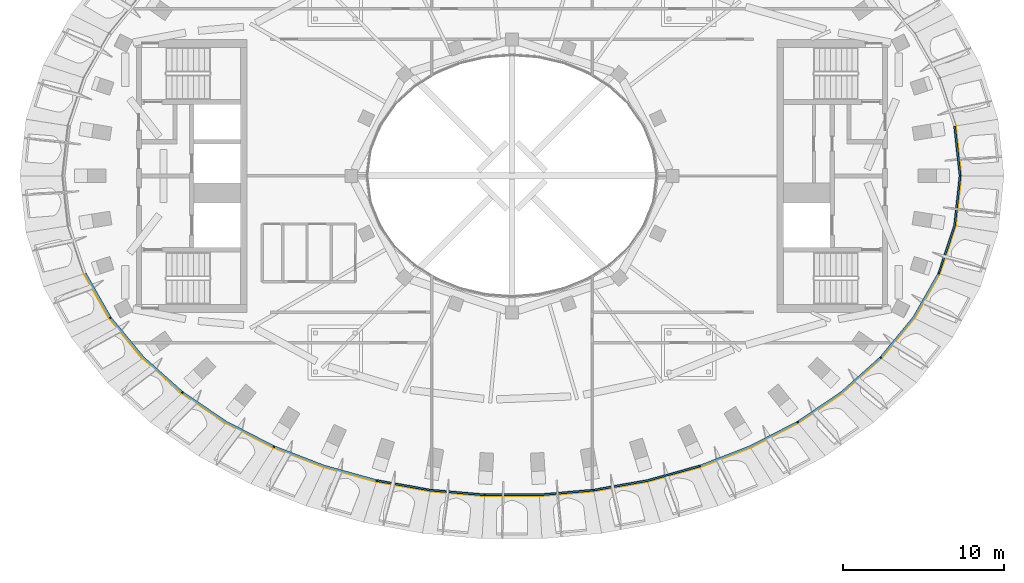
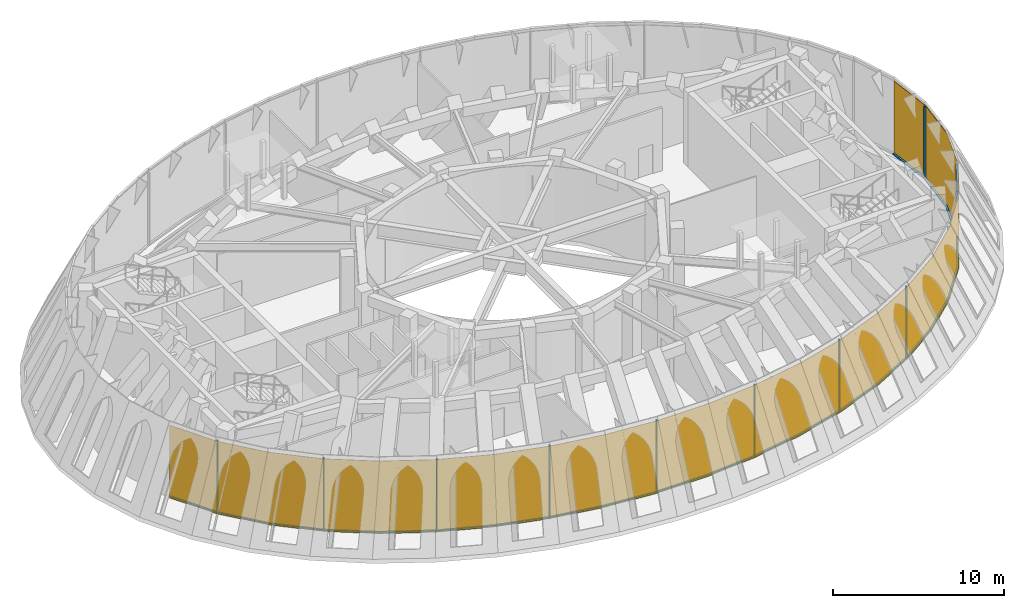
# One storey, part 6 of 13: 23 members, 1 curtain wall.
"""IFC4 building model written with IfcOpenShell, lengths in metres."""

from ifc_helpers import new_model, si_unit, direction, frame, origin, origin_2d, place, context, subcontext, project, spatial, polyline, rectangle, outline, extrude, material, layer, layer_set, material_profile, profile_set, type_object, element, aggregate, save


model = new_model("IFC4")

# Units and contexts
model_context = context("Model", 3, precision=1e-05, world=origin(), true_north=direction((0.0, 1.0)))
body_context = subcontext(model_context, "Body", "Model", "MODEL_VIEW")
ifc_project = project(units=[si_unit("LENGTHUNIT", "METRE"), si_unit("AREAUNIT", "SQUARE_METRE"), si_unit("VOLUMEUNIT", "CUBIC_METRE"), si_unit("PLANEANGLEUNIT", "RADIAN"), si_unit("MASSUNIT", "GRAM", prefix="KILO")], contexts=[model_context])

# Member
ifc_material_1 = material(Name="Aluminium 6063-T6 black anodised", Category="aluminium")
ifc_material_profile = material_profile(ifc_material_1, rectangle(XDim=0.1201171875, YDim=0.06005859375, at=origin_2d()), Name="120x60")
ifc_profile_set = profile_set([ifc_material_profile], Name="Aluminium 6063-T6 black anodised")
member_type_1 = type_object("IfcMemberType", Name="ENV-MULLION-H-120", PredefinedType="MULLION", material=ifc_profile_set)
site_placement = place(None, origin())
building_placement = place(site_placement, origin())
storey_placement = place(building_placement, frame((0.0, 0.0, 351.0)))
member_1_placement = place(storey_placement, frame((-25.01171875, -8.829833984375, 0.0), z_axis=(0.0, 0.0, 1.0), x_axis=(0.82356336447, 0.567224280777, 0.0)))
member_1 = element("IfcMember", 1, at=member_1_placement, type_object=member_type_1, Name="Mullion H radial 27", PredefinedType="MULLION", context=body_context, shape_type="SweptSolid", body=[
    extrude(rectangle(XDim=0.1201171875, YDim=0.06005859375, at=origin_2d()), origin(), (0.0, 0.0, 1.0), 5.199951171875),
])

member_2_placement = place(storey_placement, frame((-20.52587890625, -13.48681640625, 0.0), z_axis=(0.0, 0.0, 1.0), x_axis=(0.614411183298, 0.788985993436, 0.0)))
member_2 = element("IfcMember", 2, at=member_2_placement, type_object=member_type_1, Name="Mullion H radial 29", PredefinedType="MULLION", context=body_context, shape_type="SweptSolid", body=[
    extrude(rectangle(XDim=0.1201171875, YDim=0.06005859375, at=origin_2d()), origin(), (0.0, 0.0, 1.0), 5.199951171875),
])

member_3_placement = place(storey_placement, frame((-14.82421875, -16.8662109375, 0.0), z_axis=(0.0, 0.0, 1.0), x_axis=(0.409793699949, 0.912178230108, 0.0)))
member_3 = element("IfcMember", 3, at=member_3_placement, type_object=member_type_1, Name="Mullion H radial 31", PredefinedType="MULLION", context=body_context, shape_type="SweptSolid", body=[
    extrude(rectangle(XDim=0.1201171875, YDim=0.06005859375, at=origin_2d()), origin(), (0.0, 0.0, 1.0), 5.199951171875),
])

member_4_placement = place(storey_placement, frame((-8.430419921875, -18.9775390625, 0.0), z_axis=(0.0, 0.0, 1.0), x_axis=(0.221305581056, 0.975204511779, 0.0)))
member_4 = element("IfcMember", 4, at=member_4_placement, type_object=member_type_1, Name="Mullion H radial 33", PredefinedType="MULLION", context=body_context, shape_type="SweptSolid", body=[
    extrude(rectangle(XDim=0.1201171875, YDim=0.06005859375, at=origin_2d()), origin(), (0.0, 0.0, 1.0), 5.199951171875),
])

member_5_placement = place(storey_placement, frame((-1.701904296875, -19.870849609375, 0.0), z_axis=(0.0, 0.0, 1.0), x_axis=(0.043698788781, 0.99904475168, 0.0)))
member_5 = element("IfcMember", 5, at=member_5_placement, type_object=member_type_1, Name="Mullion H radial 35", PredefinedType="MULLION", context=body_context, shape_type="SweptSolid", body=[
    extrude(rectangle(XDim=0.1201171875, YDim=0.06005859375, at=origin_2d()), origin(), (0.0, 0.0, 1.0), 5.199951171875),
])

member_6_placement = place(storey_placement, frame((5.08984375, -19.573974609375, 0.0), z_axis=(0.0, 0.0, 1.0), x_axis=(-0.131660617796, 0.991294851052, 0.0)))
member_6 = element("IfcMember", 6, at=member_6_placement, type_object=member_type_1, Name="Mullion H radial 37", PredefinedType="MULLION", context=body_context, shape_type="SweptSolid", body=[
    extrude(rectangle(XDim=0.1201171875, YDim=0.06005859375, at=origin_2d()), origin(), (0.0, 0.0, 1.0), 5.199951171875),
])

member_7_placement = place(storey_placement, frame((11.688720703125, -18.0771484375, 0.0), z_axis=(0.0, 0.0, 1.0), x_axis=(-0.313706547838, 0.949519984963, 0.0)))
member_7 = element("IfcMember", 7, at=member_7_placement, type_object=member_type_1, Name="Mullion H radial 39", PredefinedType="MULLION", context=body_context, shape_type="SweptSolid", body=[
    extrude(rectangle(XDim=0.1201171875, YDim=0.06005859375, at=origin_2d()), origin(), (0.0, 0.0, 1.0), 5.199951171875),
])

member_8_placement = place(storey_placement, frame((17.78955078125, -15.337890625, 0.0), z_axis=(0.0, 0.0, 1.0), x_axis=(-0.510126063051, 0.860099645271, 0.0)))
member_8 = element("IfcMember", 8, at=member_8_placement, type_object=member_type_1, Name="Mullion H radial 41", PredefinedType="MULLION", context=body_context, shape_type="SweptSolid", body=[
    extrude(rectangle(XDim=0.1201171875, YDim=0.06005859375, at=origin_2d()), origin(), (0.0, 0.0, 1.0), 5.199951171875),
])

member_9_placement = place(storey_placement, frame((22.9619140625, -11.3134765625, 0.0), z_axis=(0.0, 0.0, 1.0), x_axis=(-0.720610782571, 0.693339815706, 0.0)))
member_9 = element("IfcMember", 9, at=member_9_placement, type_object=member_type_1, Name="Mullion H radial 43", PredefinedType="MULLION", context=body_context, shape_type="SweptSolid", body=[
    extrude(rectangle(XDim=0.1201171875, YDim=0.06005859375, at=origin_2d()), origin(), (0.0, 0.0, 1.0), 5.199951171875),
])

member_10_placement = place(storey_placement, frame((26.5791015625, -6.06884765625, 0.0), z_axis=(0.0, 0.0, 1.0), x_axis=(-0.913608946914, 0.406594013874, 0.0)))
member_10 = element("IfcMember", 10, at=member_10_placement, type_object=member_type_1, Name="Mullion H radial 45", PredefinedType="MULLION", context=body_context, shape_type="SweptSolid", body=[
    extrude(rectangle(XDim=0.1201171875, YDim=0.06005859375, at=origin_2d()), origin(), (0.0, 0.0, 1.0), 5.199951171875),
])

member_11_placement = place(storey_placement, frame((27.907958984375, 0.0, 0.0), z_axis=(0.0, 0.0, 1.0), x_axis=(-1.0, 0.0, 0.0)))
member_11 = element("IfcMember", 11, at=member_11_placement, type_object=member_type_1, Name="Mullion H radial 01", PredefinedType="MULLION", context=body_context, shape_type="SweptSolid", body=[
    extrude(rectangle(XDim=0.1201171875, YDim=0.06005859375, at=origin_2d()), origin(), (0.0, 0.0, 1.0), 5.199951171875),
])

ifc_material_2 = material(Name="Aluminium 6063-T6 black anodised", Category="aluminium")
member_type_2 = type_object("IfcMemberType", Name="ENV-TRANSOM-H", PredefinedType="USERDEFINED", material=ifc_material_2)
member_12_placement = place(storey_placement, origin())
member_12 = element("IfcMember", 12, at=member_12_placement, type_object=member_type_2, Name="Transom H radial 26-27", ObjectType="TRANSOM", PredefinedType="USERDEFINED", context=body_context, shape_type="SweptSolid", body=[
    extrude(outline(polyline([(-26.6337890625, -6.09326171875), (-25.07470703125, -8.83935546875), (-24.9755859375, -8.77099609375), (-26.5234375, -6.044189453125), (-26.6337890625, -6.09326171875)])), origin(), (0.0, 0.0, 1.0), 0.10009765625),
])

member_13_placement = place(storey_placement, origin())
member_13 = element("IfcMember", 13, at=member_13_placement, type_object=member_type_2, Name="Transom H radial 27-29", ObjectType="TRANSOM", PredefinedType="USERDEFINED", context=body_context, shape_type="SweptSolid", body=[
    extrude(outline(polyline([(-25.043212890625, -8.88525390625), (-23.0048828125, -11.35498046875), (-20.58349609375, -13.515380859375), (-20.509765625, -13.420654296875), (-22.918212890625, -11.271484375), (-24.94384765625, -8.81689453125), (-25.043212890625, -8.88525390625)])), origin(), (0.0, 0.0, 1.0), 0.10009765625),
])

member_14_placement = place(storey_placement, origin())
member_14 = element("IfcMember", 14, at=member_14_placement, type_object=member_type_2, Name="Transom H radial 29-31", ObjectType="TRANSOM", PredefinedType="USERDEFINED", context=body_context, shape_type="SweptSolid", body=[
    extrude(outline(polyline([(-20.53955078125, -13.5498046875), (-17.820068359375, -15.389404296875), (-14.873779296875, -16.908203125), (-14.824462890625, -16.798583984375), (-17.7587890625, -15.2861328125), (-20.465576171875, -13.455078125), (-20.53955078125, -13.5498046875)])), origin(), (0.0, 0.0, 1.0), 0.10009765625),
])

member_15_placement = place(storey_placement, origin())
member_15 = element("IfcMember", 15, at=member_15_placement, type_object=member_type_2, Name="Transom H radial 31-33", ObjectType="TRANSOM", PredefinedType="USERDEFINED", context=body_context, shape_type="SweptSolid", body=[
    extrude(outline(polyline([(-14.82275390625, -16.930908203125), (-11.70751953125, -18.134033203125), (-8.470703125, -19.028564453125), (-8.444091796875, -18.91162109375), (-11.669677734375, -18.02001953125), (-14.7734375, -16.8212890625), (-14.82275390625, -16.930908203125)])), origin(), (0.0, 0.0, 1.0), 0.10009765625),
])

member_16_placement = place(storey_placement, origin())
member_16 = element("IfcMember", 16, at=member_16_placement, type_object=member_type_2, Name="Transom H radial 33-35", ObjectType="TRANSOM", PredefinedType="USERDEFINED", context=body_context, shape_type="SweptSolid", body=[
    extrude(outline(polyline([(-8.416015625, -19.041015625), (-5.09765625, -19.63330078125), (-1.732421875, -19.928466796875), (-1.72705078125, -19.808349609375), (-5.081787109375, -19.514404296875), (-8.3896484375, -18.923828125), (-8.416015625, -19.041015625)])), origin(), (0.0, 0.0, 1.0), 0.10009765625),
])

member_17_placement = place(storey_placement, origin())
member_17 = element("IfcMember", 17, at=member_17_placement, type_object=member_type_2, Name="Transom H radial 35-37", ObjectType="TRANSOM", PredefinedType="USERDEFINED", context=body_context, shape_type="SweptSolid", body=[
    extrude(outline(polyline([(-1.676513671875, -19.930908203125), (1.704345703125, -19.930908203125), (5.06982421875, -19.635986328125), (5.053955078125, -19.516845703125), (1.69921875, -19.810791015625), (-1.671142578125, -19.810791015625), (-1.676513671875, -19.930908203125)])), origin(), (0.0, 0.0, 1.0), 0.10009765625),
])

member_18_placement = place(storey_placement, origin())
member_18 = element("IfcMember", 18, at=member_18_placement, type_object=member_type_2, Name="Transom H radial 37-39", ObjectType="TRANSOM", PredefinedType="USERDEFINED", context=body_context, shape_type="SweptSolid", body=[
    extrude(outline(polyline([(5.125244140625, -19.62841796875), (8.443603515625, -19.0361328125), (11.680419921875, -18.1416015625), (11.642578125, -18.027587890625), (8.4169921875, -18.9189453125), (5.109619140625, -19.509521484375), (5.125244140625, -19.62841796875)])), origin(), (0.0, 0.0, 1.0), 0.10009765625),
])

member_19_placement = place(storey_placement, origin())
member_19 = element("IfcMember", 19, at=member_19_placement, type_object=member_type_2, Name="Transom H radial 39-41", ObjectType="TRANSOM", PredefinedType="USERDEFINED", context=body_context, shape_type="SweptSolid", body=[
    extrude(outline(polyline([(11.7333984375, -18.1240234375), (14.848876953125, -16.9208984375), (17.795166015625, -15.40234375), (17.73388671875, -15.298828125), (14.799560546875, -16.811279296875), (11.69580078125, -18.010009765625), (11.7333984375, -18.1240234375)])), origin(), (0.0, 0.0, 1.0), 0.10009765625),
])

member_20_placement = place(storey_placement, origin())
member_20 = element("IfcMember", 20, at=member_20_placement, type_object=member_type_2, Name="Transom H radial 41-43", ObjectType="TRANSOM", PredefinedType="USERDEFINED", context=body_context, shape_type="SweptSolid", body=[
    extrude(outline(polyline([(17.84326171875, -15.373779296875), (20.562744140625, -13.5341796875), (22.984130859375, -11.37353515625), (22.8974609375, -11.290283203125), (20.48876953125, -13.439208984375), (17.781982421875, -15.2705078125), (17.84326171875, -15.373779296875)])), origin(), (0.0, 0.0, 1.0), 0.10009765625),
])

member_21_placement = place(storey_placement, origin())
member_21 = element("IfcMember", 21, at=member_21_placement, type_object=member_type_2, Name="Transom H radial 43-45", ObjectType="TRANSOM", PredefinedType="USERDEFINED", context=body_context, shape_type="SweptSolid", body=[
    extrude(outline(polyline([(23.022705078125, -11.33349609375), (25.060791015625, -8.86376953125), (26.619873046875, -6.11767578125), (26.509765625, -6.068603515625), (24.961669921875, -8.79541015625), (22.93603515625, -11.25), (23.022705078125, -11.33349609375)])), origin(), (0.0, 0.0, 1.0), 0.10009765625),
])

member_22_placement = place(storey_placement, origin())
member_22 = element("IfcMember", 22, at=member_22_placement, type_object=member_type_2, Name="Transom H radial 45-01", ObjectType="TRANSOM", PredefinedType="USERDEFINED", context=body_context, shape_type="SweptSolid", body=[
    extrude(outline(polyline([(26.642578125, -6.066650390625), (27.627197265625, -3.1064453125), (27.96484375, -0.02783203125), (27.843994140625, -0.02783203125), (27.50927734375, -3.080810546875), (26.532470703125, -6.017578125), (26.642578125, -6.066650390625)])), origin(), (0.0, 0.0, 1.0), 0.10009765625),
])

member_23_placement = place(storey_placement, origin())
member_23 = element("IfcMember", 23, at=member_23_placement, type_object=member_type_2, Name="Transom H radial 01-02", ObjectType="TRANSOM", PredefinedType="USERDEFINED", context=body_context, shape_type="SweptSolid", body=[
    extrude(outline(polyline([(27.96484375, 0.02783203125), (27.627197265625, 3.1064453125), (27.50927734375, 3.080810546875), (27.843994140625, 0.02783203125), (27.96484375, 0.02783203125)])), origin(), (0.0, 0.0, 1.0), 0.10009765625),
])

# Site, building, storey
site = spatial("IfcSite", under=ifc_project, at=site_placement, CompositionType="ELEMENT")
building = spatial("IfcBuilding", under=site, at=building_placement, Name="Noorbagh Ring Tower", CompositionType="ELEMENT")
storey = spatial("IfcBuildingStorey", under=building, at=storey_placement, Name="L77", CompositionType="ELEMENT", Elevation=351.0)

# Curtain wall
ifc_material_3 = material(Name="Glass dark tinted laminated", Category="glass")
ifc_layer = layer(ifc_material_3, 0.031982421875)
ifc_layer_set = layer_set([ifc_layer], Name="Glass dark tinted laminated")
curtain_wall_type = type_object("IfcCurtainWallType", Name="ENV-CW-H", PredefinedType="NOTDEFINED", material=ifc_layer_set)
curtain_wall_placement = place(storey_placement, origin())
curtain_wall = element("IfcCurtainWall", 24, at=curtain_wall_placement, inside=storey, type_object=curtain_wall_type, Name="Curtain wall H R26", PredefinedType="NOTDEFINED", context=body_context, shape_type="SweptSolid", body=[
    extrude(outline(polyline([(-26.6630859375, -6.106201171875), (-25.08740234375, -8.882080078125), (-23.028076171875, -11.377197265625), (-20.58251953125, -13.5595703125), (-17.83642578125, -15.4169921875), (-14.86181640625, -16.9501953125), (-11.717529296875, -18.16455078125), (-8.45068359375, -19.0673828125), (-5.10205078125, -19.665283203125), (-1.705810546875, -19.962890625), (1.705810546875, -19.962890625), (5.10205078125, -19.665283203125), (8.45068359375, -19.0673828125), (11.717529296875, -18.16455078125), (14.86181640625, -16.9501953125), (17.83642578125, -15.4169921875), (20.58251953125, -13.5595703125), (23.028076171875, -11.377197265625), (25.08740234375, -8.882080078125), (26.6630859375, -6.106201171875), (27.65869140625, -3.11328125), (28.0, 0.0), (27.65869140625, 3.11328125), (27.627197265625, 3.1064453125), (27.9677734375, 0.0), (27.627197265625, -3.1064453125), (26.6337890625, -6.09326171875), (25.060791015625, -8.86376953125), (23.0048828125, -11.35498046875), (20.562744140625, -13.5341796875), (17.820068359375, -15.389404296875), (14.848876953125, -16.9208984375), (11.70751953125, -18.134033203125), (8.443603515625, -19.0361328125), (5.09765625, -19.63330078125), (1.704345703125, -19.930908203125), (-1.704345703125, -19.930908203125), (-5.09765625, -19.63330078125), (-8.443603515625, -19.0361328125), (-11.70751953125, -18.134033203125), (-14.848876953125, -16.9208984375), (-17.820068359375, -15.389404296875), (-20.562744140625, -13.5341796875), (-23.0048828125, -11.35498046875), (-25.060791015625, -8.86376953125), (-26.6337890625, -6.09326171875), (-26.6630859375, -6.106201171875)])), origin(), (0.0, 0.0, 1.0), 5.199951171875),
])

aggregate(curtain_wall, [member_1, member_2, member_3, member_4, member_5, member_6, member_7, member_8, member_9, member_10, member_11, member_12, member_13, member_14, member_15, member_16, member_17, member_18, member_19, member_20, member_21, member_22, member_23])

save(model, "model.ifc")
